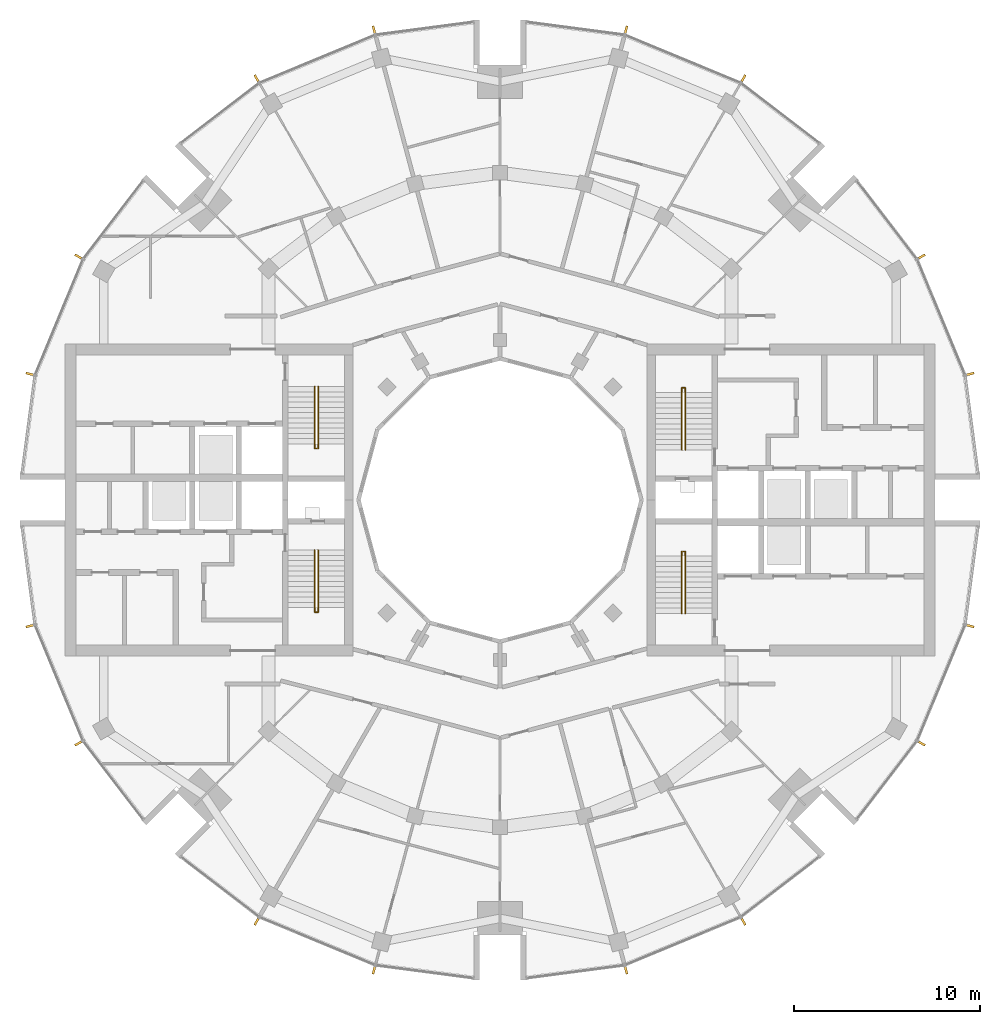
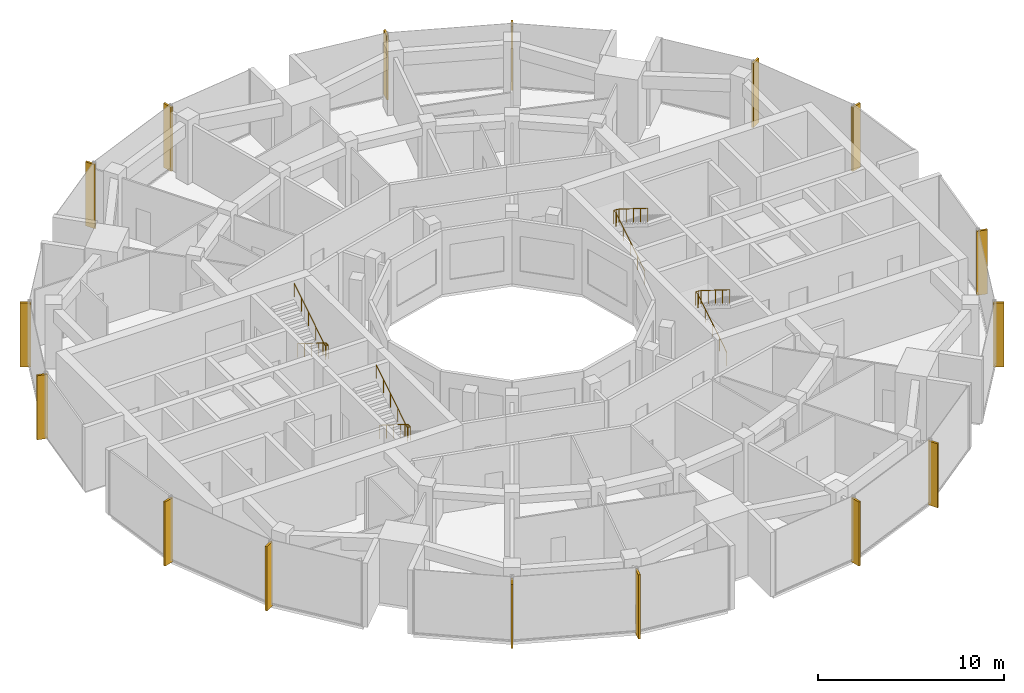
# One storey, part 14 of 15: 16 shading devices, 4 railings.
"""IFC4 building model written with IfcOpenShell, lengths in metres."""

from ifc_helpers import new_model, si_unit, direction, frame, origin, origin_2d, place, context, subcontext, project, spatial, rectangle, circle, extrude, material, material_profile, profile_set, type_object, element, save


model = new_model("IFC4")

# Units and contexts
model_context = context("Model", 3, precision=1e-05, world=origin(), true_north=direction((0.0, 1.0)))
body_context = subcontext(model_context, "Body", "Model", "MODEL_VIEW")
ifc_project = project(units=[si_unit("LENGTHUNIT", "METRE"), si_unit("AREAUNIT", "SQUARE_METRE"), si_unit("VOLUMEUNIT", "CUBIC_METRE"), si_unit("PLANEANGLEUNIT", "RADIAN"), si_unit("MASSUNIT", "GRAM", prefix="KILO")], contexts=[model_context])

# Site, building, storey
site_placement = place(None, origin())
site = spatial("IfcSite", under=ifc_project, at=site_placement, CompositionType="ELEMENT")
building_placement = place(site_placement, origin())
building = spatial("IfcBuilding", under=site, at=building_placement, Name="Torre Brocal", CompositionType="ELEMENT")
storey_placement = place(building_placement, frame((0.0, 0.0, 245.699951171875)))
storey = spatial("IfcBuildingStorey", under=building, at=storey_placement, Name="L56", CompositionType="ELEMENT", Elevation=245.699951171875)

# Shading devices
ifc_material_1 = material(Name="Aluminium, black anodised", Category="aluminium")
ifc_material_profile = material_profile(ifc_material_1, rectangle(XDim=0.1201171875, YDim=0.60009765625, at=origin_2d()), Name="FIN 120X600 4200 HIGH")
ifc_profile_set = profile_set([ifc_material_profile], Name="Aluminium, black anodised")
shading_device_type = type_object("IfcShadingDeviceType", Name="FIN 120X600 4200 HIGH", PredefinedType="USERDEFINED", material=ifc_profile_set)
for number, where, z_axis, x_axis, name in (
    (1, (105.208984375, 81.754638671875, -0.14990234375), (0.0, 0.0, 1.0), (-0.258819045103, 0.965925826289, 0.0), "FIN"),
    (2, (102.601806640625, 88.049072265625, -0.14990234375), (0.0, 0.0, 1.0), (-0.5, 0.866025403784, 0.0), "FIN"),
    (3, (93.049072265625, 97.601806640625, -0.14990234375), (0.0, 0.0, 1.0), (-0.866025403784, 0.5, 0.0), "FIN"),
    (4, (86.754638671875, 100.208984375, -0.14990234375), (0.0, 0.0, 1.0), (-0.965925826289, 0.258819045103, 0.0), "FIN"),
    (5, (73.245361328125, 100.208984375, -0.14990234375), (0.0, 0.0, 1.0), (-0.965925826289, -0.258819045103, 0.0), "FIN"),
    (6, (66.950927734375, 97.601806640625, -0.14990234375), (0.0, 0.0, 1.0), (-0.866025403784, -0.5, 0.0), "FIN"),
    (7, (57.398193359375, 88.049072265625, -0.14990234375), (0.0, 0.0, 1.0), (-0.5, -0.866025403784, 0.0), "FIN"),
    (8, (54.791015625, 81.754638671875, -0.14990234375), (0.0, 0.0, 1.0), (-0.258819045103, -0.965925826289, 0.0), "FIN"),
    (9, (54.791015625, 68.245361328125, -0.14990234375), (0.0, 0.0, 1.0), (0.258819045103, -0.965925826289, 0.0), "FIN"),
    (10, (57.398193359375, 61.950927734375, -0.14990234375), (0.0, 0.0, 1.0), (0.5, -0.866025403784, 0.0), "FIN"),
    (11, (66.950927734375, 52.398193359375, -0.14990234375), (0.0, 0.0, 1.0), (0.866025403784, -0.5, 0.0), "FIN"),
    (12, (73.245361328125, 49.791015625, -0.14990234375), (0.0, 0.0, 1.0), (0.965925826289, -0.258819045103, 0.0), "FIN"),
    (13, (86.754638671875, 49.791015625, -0.14990234375), (0.0, 0.0, 1.0), (0.965925826289, 0.258819045103, 0.0), "FIN"),
    (14, (93.049072265625, 52.398193359375, -0.14990234375), (0.0, 0.0, 1.0), (0.866025403784, 0.5, 0.0), "FIN"),
    (15, (102.601806640625, 61.950927734375, -0.14990234375), (0.0, 0.0, 1.0), (0.5, 0.866025403784, 0.0), "FIN"),
    (16, (105.208984375, 68.245361328125, -0.14990234375), (0.0, 0.0, 1.0), (0.258819045103, 0.965925826289, 0.0), "FIN"),
):
    element("IfcShadingDevice", number, at=place(storey_placement, frame(where, z_axis=z_axis, x_axis=x_axis)), inside=storey, type_object=shading_device_type, Name=name, ObjectType="FIN", PredefinedType="USERDEFINED", context=body_context, shape_type="SweptSolid", body=[
        extrude(rectangle(XDim=0.1201171875, YDim=0.60009765625, at=origin_2d()), origin(), (0.0, 0.0, 1.0), 4.199951171875),
    ])

# Railings
ifc_material_2 = material(Name="Stainless steel AISI 316", Category="steel")
railing_type = type_object("IfcRailingType", Name="STAIR HANDRAIL", PredefinedType="HANDRAIL", material=ifc_material_2)
railing_1_placement = place(storey_placement, frame((89.780029296875, 77.699951171875, 0.175048828125)))
element("IfcRailing", 17, at=railing_1_placement, inside=storey, type_object=railing_type, Name="HANDRAIL ST1", PredefinedType="HANDRAIL", context=body_context, shape_type="SweptSolid", body=[
    extrude(circle(Radius=0.02392578125, at=origin_2d()), frame((0.0, 0.0, 0.8759765625), z_axis=(0.0, 0.847998304005, 0.529998940003), x_axis=(-1.0, 0.0, 0.0)), (0.0, 0.0, 1.0), 3.632080078125),
    extrude(circle(Radius=0.02392578125, at=origin_2d()), frame((0.0, 3.080078125, 2.80078125), z_axis=(0.0, 1.0, 0.0), x_axis=(-1.0, 0.0, 0.0)), (0.0, 0.0, 1.0), 0.25),
    extrude(circle(Radius=0.02392578125, at=origin_2d()), frame((0.0, 3.330078125, 2.80078125), z_axis=(1.0, 0.0, 0.0), x_axis=(0.0, 1.0, 0.0)), (0.0, 0.0, 1.0), 0.18994140625),
    extrude(circle(Radius=0.02392578125, at=origin_2d()), frame((0.18994140625, 3.330078125, 2.80078125), z_axis=(0.0, -0.819156749665, 0.573569716318), x_axis=(1.0, 0.0, 0.0)), (0.0, 0.0, 1.0), 0.30517578125),
    extrude(circle(Radius=0.02392578125, at=origin_2d()), frame((0.18994140625, 3.080078125, 2.97607421875), z_axis=(0.0, -0.848028513186, 0.529950602248), x_axis=(1.0, 0.0, 0.0)), (0.0, 0.0, 1.0), 3.632080078125),
    extrude(circle(Radius=0.02099609375, at=origin_2d()), origin(), (0.0, 0.0, 1.0), 0.851806640625),
    extrude(circle(Radius=0.02099609375, at=origin_2d()), frame((0.0, 0.77001953125, 0.481201171875)), (0.0, 0.0, 1.0), 0.851806640625),
    extrude(circle(Radius=0.02099609375, at=origin_2d()), frame((0.0, 1.5400390625, 0.96240234375)), (0.0, 0.0, 1.0), 0.851806640625),
    extrude(circle(Radius=0.02099609375, at=origin_2d()), frame((0.0, 2.31005859375, 1.44384765625)), (0.0, 0.0, 1.0), 0.851806640625),
    extrude(circle(Radius=0.02099609375, at=origin_2d()), frame((0.0, 3.080078125, 1.925048828125)), (0.0, 0.0, 1.0), 0.851806640625),
    extrude(circle(Radius=0.02099609375, at=origin_2d()), frame((0.0, 3.330078125, 1.925048828125)), (0.0, 0.0, 1.0), 0.851806640625),
    extrude(circle(Radius=0.02099609375, at=origin_2d()), frame((0.18994140625, 3.330078125, 1.925048828125)), (0.0, 0.0, 1.0), 0.851806640625),
    extrude(circle(Radius=0.02099609375, at=origin_2d()), frame((0.18994140625, 3.080078125, 2.10009765625)), (0.0, 0.0, 1.0), 0.851806640625),
    extrude(circle(Radius=0.02099609375, at=origin_2d()), frame((0.18994140625, 2.31005859375, 2.581298828125)), (0.0, 0.0, 1.0), 0.851806640625),
    extrude(circle(Radius=0.02099609375, at=origin_2d()), frame((0.18994140625, 1.5400390625, 3.0625)), (0.0, 0.0, 1.0), 0.851806640625),
    extrude(circle(Radius=0.02099609375, at=origin_2d()), frame((0.18994140625, 0.77001953125, 3.543701171875)), (0.0, 0.0, 1.0), 0.851806640625),
    extrude(circle(Radius=0.02099609375, at=origin_2d()), frame((0.18994140625, 0.0, 4.02490234375)), (0.0, 0.0, 1.0), 0.851806640625),
])
railing_2_placement = place(storey_placement, frame((89.780029296875, 68.89990234375, 0.175048828125)))
element("IfcRailing", 18, at=railing_2_placement, inside=storey, type_object=railing_type, Name="HANDRAIL ST2", PredefinedType="HANDRAIL", context=body_context, shape_type="SweptSolid", body=[
    extrude(circle(Radius=0.02392578125, at=origin_2d()), frame((0.0, 0.0, 0.8759765625), z_axis=(0.0, 0.847998304005, 0.529998940003), x_axis=(-1.0, 0.0, 0.0)), (0.0, 0.0, 1.0), 3.632080078125),
    extrude(circle(Radius=0.02392578125, at=origin_2d()), frame((0.0, 3.080078125, 2.80078125), z_axis=(0.0, 1.0, 0.0), x_axis=(-1.0, 0.0, 0.0)), (0.0, 0.0, 1.0), 0.25),
    extrude(circle(Radius=0.02392578125, at=origin_2d()), frame((0.0, 3.330078125, 2.80078125), z_axis=(1.0, 0.0, 0.0), x_axis=(0.0, 1.0, 0.0)), (0.0, 0.0, 1.0), 0.18994140625),
    extrude(circle(Radius=0.02392578125, at=origin_2d()), frame((0.18994140625, 3.330078125, 2.80078125), z_axis=(0.0, -0.819156749665, 0.573569716318), x_axis=(1.0, 0.0, 0.0)), (0.0, 0.0, 1.0), 0.30517578125),
    extrude(circle(Radius=0.02392578125, at=origin_2d()), frame((0.18994140625, 3.080078125, 2.97607421875), z_axis=(0.0, -0.848028513186, 0.529950602248), x_axis=(1.0, 0.0, 0.0)), (0.0, 0.0, 1.0), 3.632080078125),
    extrude(circle(Radius=0.02099609375, at=origin_2d()), origin(), (0.0, 0.0, 1.0), 0.851806640625),
    extrude(circle(Radius=0.02099609375, at=origin_2d()), frame((0.0, 0.77001953125, 0.481201171875)), (0.0, 0.0, 1.0), 0.851806640625),
    extrude(circle(Radius=0.02099609375, at=origin_2d()), frame((0.0, 1.5400390625, 0.96240234375)), (0.0, 0.0, 1.0), 0.851806640625),
    extrude(circle(Radius=0.02099609375, at=origin_2d()), frame((0.0, 2.31005859375, 1.44384765625)), (0.0, 0.0, 1.0), 0.851806640625),
    extrude(circle(Radius=0.02099609375, at=origin_2d()), frame((0.0, 3.080078125, 1.925048828125)), (0.0, 0.0, 1.0), 0.851806640625),
    extrude(circle(Radius=0.02099609375, at=origin_2d()), frame((0.0, 3.330078125, 1.925048828125)), (0.0, 0.0, 1.0), 0.851806640625),
    extrude(circle(Radius=0.02099609375, at=origin_2d()), frame((0.18994140625, 3.330078125, 1.925048828125)), (0.0, 0.0, 1.0), 0.851806640625),
    extrude(circle(Radius=0.02099609375, at=origin_2d()), frame((0.18994140625, 3.080078125, 2.10009765625)), (0.0, 0.0, 1.0), 0.851806640625),
    extrude(circle(Radius=0.02099609375, at=origin_2d()), frame((0.18994140625, 2.31005859375, 2.581298828125)), (0.0, 0.0, 1.0), 0.851806640625),
    extrude(circle(Radius=0.02099609375, at=origin_2d()), frame((0.18994140625, 1.5400390625, 3.0625)), (0.0, 0.0, 1.0), 0.851806640625),
    extrude(circle(Radius=0.02099609375, at=origin_2d()), frame((0.18994140625, 0.77001953125, 3.543701171875)), (0.0, 0.0, 1.0), 0.851806640625),
    extrude(circle(Radius=0.02099609375, at=origin_2d()), frame((0.18994140625, 0.0, 4.02490234375)), (0.0, 0.0, 1.0), 0.851806640625),
])
railing_3_placement = place(storey_placement, frame((70.219970703125, 72.300048828125, 0.175048828125)))
element("IfcRailing", 19, at=railing_3_placement, inside=storey, type_object=railing_type, Name="HANDRAIL ST3", PredefinedType="HANDRAIL", context=body_context, shape_type="SweptSolid", body=[
    extrude(circle(Radius=0.02392578125, at=origin_2d()), frame((0.0, 0.0, 0.8759765625), z_axis=(0.0, -0.847998304005, 0.529998940003), x_axis=(1.0, 0.0, 0.0)), (0.0, 0.0, 1.0), 3.632080078125),
    extrude(circle(Radius=0.02392578125, at=origin_2d()), frame((0.0, -3.080078125, 2.80078125), z_axis=(0.0, -1.0, 0.0), x_axis=(1.0, 0.0, 0.0)), (0.0, 0.0, 1.0), 0.25),
    extrude(circle(Radius=0.02392578125, at=origin_2d()), frame((0.0, -3.330078125, 2.80078125), z_axis=(-1.0, 0.0, 0.0), x_axis=(0.0, -1.0, 0.0)), (0.0, 0.0, 1.0), 0.18994140625),
    extrude(circle(Radius=0.02392578125, at=origin_2d()), frame((-0.18994140625, -3.330078125, 2.80078125), z_axis=(0.0, 0.819156749665, 0.573569716318), x_axis=(-1.0, 0.0, 0.0)), (0.0, 0.0, 1.0), 0.30517578125),
    extrude(circle(Radius=0.02392578125, at=origin_2d()), frame((-0.18994140625, -3.080078125, 2.97607421875), z_axis=(0.0, 0.848028513186, 0.529950602248), x_axis=(-1.0, 0.0, 0.0)), (0.0, 0.0, 1.0), 3.632080078125),
    extrude(circle(Radius=0.02099609375, at=origin_2d()), origin(), (0.0, 0.0, 1.0), 0.851806640625),
    extrude(circle(Radius=0.02099609375, at=origin_2d()), frame((0.0, -0.77001953125, 0.481201171875)), (0.0, 0.0, 1.0), 0.851806640625),
    extrude(circle(Radius=0.02099609375, at=origin_2d()), frame((0.0, -1.5400390625, 0.96240234375)), (0.0, 0.0, 1.0), 0.851806640625),
    extrude(circle(Radius=0.02099609375, at=origin_2d()), frame((0.0, -2.31005859375, 1.44384765625)), (0.0, 0.0, 1.0), 0.851806640625),
    extrude(circle(Radius=0.02099609375, at=origin_2d()), frame((0.0, -3.080078125, 1.925048828125)), (0.0, 0.0, 1.0), 0.851806640625),
    extrude(circle(Radius=0.02099609375, at=origin_2d()), frame((0.0, -3.330078125, 1.925048828125)), (0.0, 0.0, 1.0), 0.851806640625),
    extrude(circle(Radius=0.02099609375, at=origin_2d()), frame((-0.18994140625, -3.330078125, 1.925048828125)), (0.0, 0.0, 1.0), 0.851806640625),
    extrude(circle(Radius=0.02099609375, at=origin_2d()), frame((-0.18994140625, -3.080078125, 2.10009765625)), (0.0, 0.0, 1.0), 0.851806640625),
    extrude(circle(Radius=0.02099609375, at=origin_2d()), frame((-0.18994140625, -2.31005859375, 2.581298828125)), (0.0, 0.0, 1.0), 0.851806640625),
    extrude(circle(Radius=0.02099609375, at=origin_2d()), frame((-0.18994140625, -1.5400390625, 3.0625)), (0.0, 0.0, 1.0), 0.851806640625),
    extrude(circle(Radius=0.02099609375, at=origin_2d()), frame((-0.18994140625, -0.77001953125, 3.543701171875)), (0.0, 0.0, 1.0), 0.851806640625),
    extrude(circle(Radius=0.02099609375, at=origin_2d()), frame((-0.18994140625, 0.0, 4.02490234375)), (0.0, 0.0, 1.0), 0.851806640625),
])
railing_4_placement = place(storey_placement, frame((70.219970703125, 81.10009765625, 0.175048828125)))
element("IfcRailing", 20, at=railing_4_placement, inside=storey, type_object=railing_type, Name="HANDRAIL ST4", PredefinedType="HANDRAIL", context=body_context, shape_type="SweptSolid", body=[
    extrude(circle(Radius=0.02392578125, at=origin_2d()), frame((0.0, 0.0, 0.8759765625), z_axis=(0.0, -0.847998304005, 0.529998940003), x_axis=(1.0, 0.0, 0.0)), (0.0, 0.0, 1.0), 3.632080078125),
    extrude(circle(Radius=0.02392578125, at=origin_2d()), frame((0.0, -3.080078125, 2.80078125), z_axis=(0.0, -1.0, 0.0), x_axis=(1.0, 0.0, 0.0)), (0.0, 0.0, 1.0), 0.25),
    extrude(circle(Radius=0.02392578125, at=origin_2d()), frame((0.0, -3.330078125, 2.80078125), z_axis=(-1.0, 0.0, 0.0), x_axis=(0.0, -1.0, 0.0)), (0.0, 0.0, 1.0), 0.18994140625),
    extrude(circle(Radius=0.02392578125, at=origin_2d()), frame((-0.18994140625, -3.330078125, 2.80078125), z_axis=(0.0, 0.819156749665, 0.573569716318), x_axis=(-1.0, 0.0, 0.0)), (0.0, 0.0, 1.0), 0.30517578125),
    extrude(circle(Radius=0.02392578125, at=origin_2d()), frame((-0.18994140625, -3.080078125, 2.97607421875), z_axis=(0.0, 0.848028513186, 0.529950602248), x_axis=(-1.0, 0.0, 0.0)), (0.0, 0.0, 1.0), 3.632080078125),
    extrude(circle(Radius=0.02099609375, at=origin_2d()), origin(), (0.0, 0.0, 1.0), 0.851806640625),
    extrude(circle(Radius=0.02099609375, at=origin_2d()), frame((0.0, -0.77001953125, 0.481201171875)), (0.0, 0.0, 1.0), 0.851806640625),
    extrude(circle(Radius=0.02099609375, at=origin_2d()), frame((0.0, -1.5400390625, 0.96240234375)), (0.0, 0.0, 1.0), 0.851806640625),
    extrude(circle(Radius=0.02099609375, at=origin_2d()), frame((0.0, -2.31005859375, 1.44384765625)), (0.0, 0.0, 1.0), 0.851806640625),
    extrude(circle(Radius=0.02099609375, at=origin_2d()), frame((0.0, -3.080078125, 1.925048828125)), (0.0, 0.0, 1.0), 0.851806640625),
    extrude(circle(Radius=0.02099609375, at=origin_2d()), frame((0.0, -3.330078125, 1.925048828125)), (0.0, 0.0, 1.0), 0.851806640625),
    extrude(circle(Radius=0.02099609375, at=origin_2d()), frame((-0.18994140625, -3.330078125, 1.925048828125)), (0.0, 0.0, 1.0), 0.851806640625),
    extrude(circle(Radius=0.02099609375, at=origin_2d()), frame((-0.18994140625, -3.080078125, 2.10009765625)), (0.0, 0.0, 1.0), 0.851806640625),
    extrude(circle(Radius=0.02099609375, at=origin_2d()), frame((-0.18994140625, -2.31005859375, 2.581298828125)), (0.0, 0.0, 1.0), 0.851806640625),
    extrude(circle(Radius=0.02099609375, at=origin_2d()), frame((-0.18994140625, -1.5400390625, 3.0625)), (0.0, 0.0, 1.0), 0.851806640625),
    extrude(circle(Radius=0.02099609375, at=origin_2d()), frame((-0.18994140625, -0.77001953125, 3.543701171875)), (0.0, 0.0, 1.0), 0.851806640625),
    extrude(circle(Radius=0.02099609375, at=origin_2d()), frame((-0.18994140625, 0.0, 4.02490234375)), (0.0, 0.0, 1.0), 0.851806640625),
])

save(model, "model.ifc")
